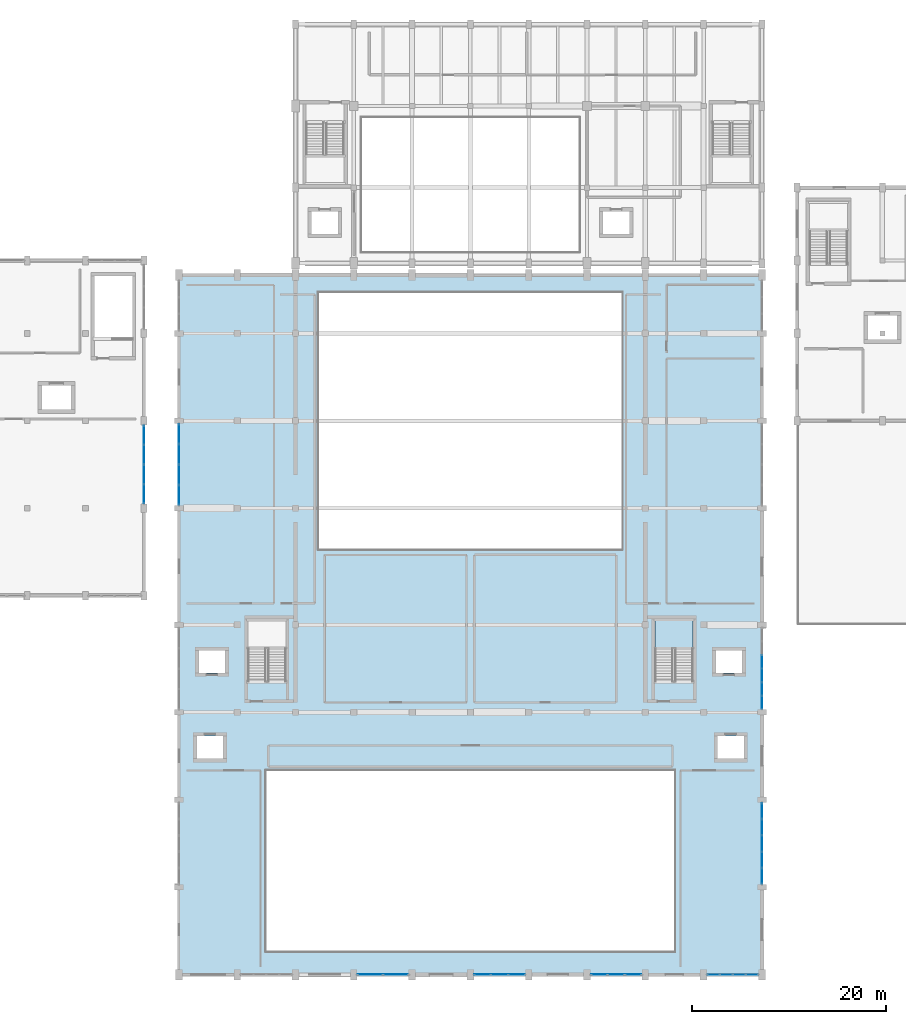
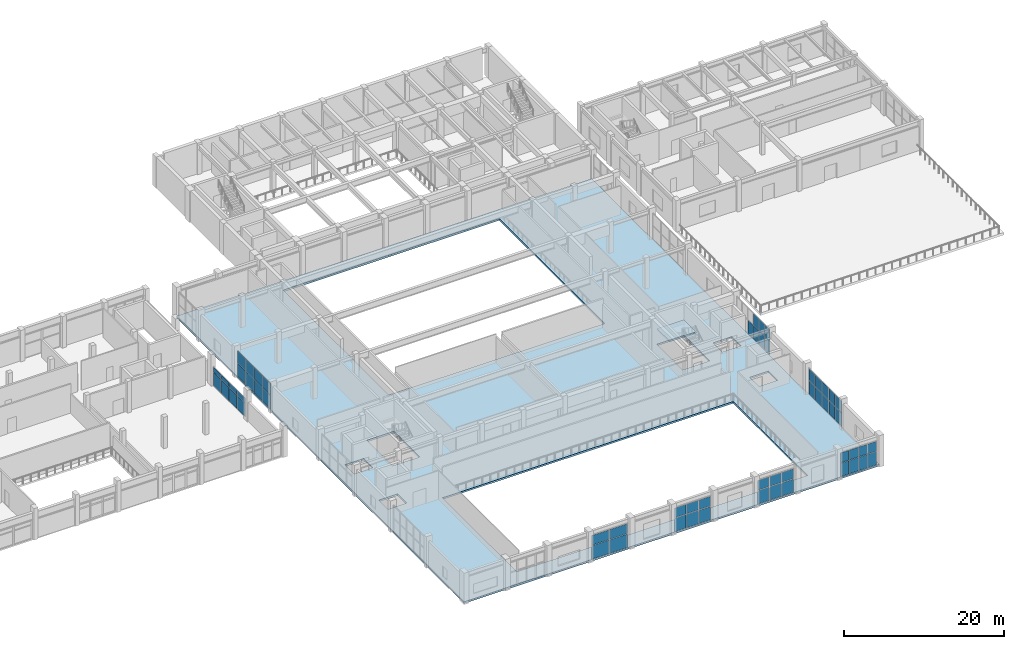
# One storey, part 35 of 62: 57 plates, 2 slabs, 9 elements without a shape of their own.
"""IFC4 building model written with IfcOpenShell, lengths in metres."""

from ifc_helpers import new_model, si_unit, direction, frame, origin, origin_2d, place, context, subcontext, project, spatial, polyline, rectangle, outline, extrude, material, layer, layer_set, type_object, element, aggregate, save


model = new_model("IFC4")

# Units and contexts
model_context = context("Model", 3, precision=1e-05, world=origin(), true_north=direction((0.0, 1.0)))
body_context = subcontext(model_context, "Body", "Model", "MODEL_VIEW")
ifc_project = project(units=[si_unit("LENGTHUNIT", "METRE"), si_unit("AREAUNIT", "SQUARE_METRE"), si_unit("VOLUMEUNIT", "CUBIC_METRE"), si_unit("PLANEANGLEUNIT", "RADIAN"), si_unit("MASSUNIT", "GRAM", prefix="KILO")], contexts=[model_context])

# Site, building, storey
site_placement = place(None, origin())
site = spatial("IfcSite", under=ifc_project, at=site_placement, CompositionType="ELEMENT")
building_placement = place(site_placement, origin())
building = spatial("IfcBuilding", under=site, at=building_placement, Name="Vaelkrest Opera House", CompositionType="ELEMENT")
storey_placement = place(building_placement, frame((0.0, 0.0, 19.800048828125)))
storey = spatial("IfcBuildingStorey", under=building, at=storey_placement, Name="L04", CompositionType="ELEMENT", Elevation=19.800048828125)

# Curtain wall, plates
ifc_material_1 = material(Name="Dark bronze anodized aluminium", Category="aluminium")
ifc_layer_1 = layer(ifc_material_1, 0.179931640625)
ifc_layer_set_1 = layer_set([ifc_layer_1], Name="Dark bronze anodized aluminium")
curtain_wall_type_1 = type_object("IfcCurtainWallType", Name="CW01", PredefinedType="NOTDEFINED", material=ifc_layer_set_1)
curtain_wall_1_placement = place(storey_placement, origin())
curtain_wall_1 = element("IfcCurtainWall", 1, at=curtain_wall_1_placement, inside=storey, type_object=curtain_wall_type_1, Name="Curtain wall CW-L04-066", PredefinedType="NOTDEFINED")
ifc_material_2 = material(Name="Double low-E insulated glazing", Category="glass")
ifc_layer_2 = layer(ifc_material_2, 0.02587890625)
ifc_layer_set_2 = layer_set([ifc_layer_2], Name="Double low-E insulated glazing")
plate_type_1 = type_object("IfcPlateType", Name="CWP01", PredefinedType="CURTAIN_PANEL", material=ifc_layer_set_2)
plate_1_placement = place(storey_placement, frame((30.0, -23.599609375, 0.06494140625), z_axis=(0.0, 0.0, 1.0), x_axis=(0.0, -1.0, 0.0)))
plate_1 = element("IfcPlate", 2, at=plate_1_placement, type_object=plate_type_1, Name="CW01 panel 3.1", PredefinedType="CURTAIN_PANEL", context=body_context, shape_type="SweptSolid", body=[
    extrude(rectangle(XDim=1.335693359375, YDim=0.02587890625, at=origin_2d()), origin(), (0.0, 0.0, 1.0), 2.052490234375),
])
plate_2_placement = place(storey_placement, frame((30.0, -25.000244140625, 0.06494140625), z_axis=(0.0, 0.0, 1.0), x_axis=(0.0, -1.0, 0.0)))
plate_2 = element("IfcPlate", 3, at=plate_2_placement, type_object=plate_type_1, Name="CW01 panel 4.1", PredefinedType="CURTAIN_PANEL", context=body_context, shape_type="SweptSolid", body=[
    extrude(rectangle(XDim=1.335693359375, YDim=0.02587890625, at=origin_2d()), origin(), (0.0, 0.0, 1.0), 2.052490234375),
])
plate_3_placement = place(storey_placement, frame((30.0, -25.000244140625, 2.1826171875), z_axis=(0.0, 0.0, 1.0), x_axis=(0.0, -1.0, 0.0)))
plate_3 = element("IfcPlate", 4, at=plate_3_placement, type_object=plate_type_1, Name="CW01 panel 4.2", PredefinedType="CURTAIN_PANEL", context=body_context, shape_type="SweptSolid", body=[
    extrude(rectangle(XDim=1.335693359375, YDim=0.02587890625, at=origin_2d()), origin(), (0.0, 0.0, 1.0), 1.79541015625),
])
plate_4_placement = place(storey_placement, frame((30.0, -26.40087890625, 0.06494140625), z_axis=(0.0, 0.0, 1.0), x_axis=(0.0, -1.0, 0.0)))
plate_4 = element("IfcPlate", 5, at=plate_4_placement, type_object=plate_type_1, Name="CW01 panel 5.1", PredefinedType="CURTAIN_PANEL", context=body_context, shape_type="SweptSolid", body=[
    extrude(rectangle(XDim=1.335693359375, YDim=0.02587890625, at=origin_2d()), origin(), (0.0, 0.0, 1.0), 2.052490234375),
])
plate_5_placement = place(storey_placement, frame((30.0, -26.40087890625, 2.1826171875), z_axis=(0.0, 0.0, 1.0), x_axis=(0.0, -1.0, 0.0)))
plate_5 = element("IfcPlate", 6, at=plate_5_placement, type_object=plate_type_1, Name="CW01 panel 5.2", PredefinedType="CURTAIN_PANEL", context=body_context, shape_type="SweptSolid", body=[
    extrude(rectangle(XDim=1.335693359375, YDim=0.02587890625, at=origin_2d()), origin(), (0.0, 0.0, 1.0), 1.79541015625),
])
plate_6_placement = place(storey_placement, frame((30.0, -27.785400390625, 0.06494140625), z_axis=(0.0, 0.0, 1.0), x_axis=(0.0, -1.0, 0.0)))
plate_6 = element("IfcPlate", 7, at=plate_6_placement, type_object=plate_type_1, Name="CW01 panel 6.1", PredefinedType="CURTAIN_PANEL", context=body_context, shape_type="SweptSolid", body=[
    extrude(rectangle(XDim=1.30322265625, YDim=0.02587890625, at=origin_2d()), origin(), (0.0, 0.0, 1.0), 2.052490234375),
])
plate_7_placement = place(storey_placement, frame((30.0, -27.785400390625, 2.1826171875), z_axis=(0.0, 0.0, 1.0), x_axis=(0.0, -1.0, 0.0)))
plate_7 = element("IfcPlate", 8, at=plate_7_placement, type_object=plate_type_1, Name="CW01 panel 6.2", PredefinedType="CURTAIN_PANEL", context=body_context, shape_type="SweptSolid", body=[
    extrude(rectangle(XDim=1.30322265625, YDim=0.02587890625, at=origin_2d()), origin(), (0.0, 0.0, 1.0), 1.79541015625),
])
aggregate(curtain_wall_1, [plate_1, plate_2, plate_3, plate_4, plate_5, plate_6, plate_7])

ifc_layer_3 = layer(ifc_material_1, 0.18994140625)
ifc_layer_set_3 = layer_set([ifc_layer_3], Name="Dark bronze anodized aluminium")
curtain_wall_type_2 = type_object("IfcCurtainWallType", Name="CW02", PredefinedType="NOTDEFINED", material=ifc_layer_set_3)
curtain_wall_2_placement = place(storey_placement, origin())
curtain_wall_2 = element("IfcCurtainWall", 9, at=curtain_wall_2_placement, inside=storey, type_object=curtain_wall_type_2, Name="Curtain wall CW-L04-055", PredefinedType="NOTDEFINED")
ifc_layer_4 = layer(ifc_material_2, 0.030029296875)
ifc_layer_set_4 = layer_set([ifc_layer_4], Name="Double low-E insulated glazing")
plate_type_2 = type_object("IfcPlateType", Name="CWP02", PredefinedType="CURTAIN_PANEL", material=ifc_layer_set_4)
plate_8_placement = place(storey_placement, frame((28.971435546875, -55.800048828125, 0.070068359375), z_axis=(0.0, 0.0, 1.0), x_axis=(-1.0, 0.0, 0.0)))
plate_8 = element("IfcPlate", 10, at=plate_8_placement, type_object=plate_type_2, Name="CW02 panel 1.1", PredefinedType="CURTAIN_PANEL", context=body_context, shape_type="SweptSolid", body=[
    extrude(rectangle(XDim=1.220947265625, YDim=0.030029296875, at=origin_2d()), origin(), (0.0, 0.0, 1.0), 2.044921875),
])
plate_9_placement = place(storey_placement, frame((28.971435546875, -55.800048828125, 2.18505859375), z_axis=(0.0, 0.0, 1.0), x_axis=(-1.0, 0.0, 0.0)))
plate_9 = element("IfcPlate", 11, at=plate_9_placement, type_object=plate_type_2, Name="CW02 panel 1.2", PredefinedType="CURTAIN_PANEL", context=body_context, shape_type="SweptSolid", body=[
    extrude(rectangle(XDim=1.220947265625, YDim=0.030029296875, at=origin_2d()), origin(), (0.0, 0.0, 1.0), 1.489990234375),
])
plate_10_placement = place(storey_placement, frame((27.6630859375, -55.800048828125, 0.070068359375), z_axis=(0.0, 0.0, 1.0), x_axis=(-1.0, 0.0, 0.0)))
plate_10 = element("IfcPlate", 12, at=plate_10_placement, type_object=plate_type_2, Name="CW02 panel 2.1", PredefinedType="CURTAIN_PANEL", context=body_context, shape_type="SweptSolid", body=[
    extrude(rectangle(XDim=1.256103515625, YDim=0.030029296875, at=origin_2d()), origin(), (0.0, 0.0, 1.0), 2.044921875),
])
plate_11_placement = place(storey_placement, frame((27.6630859375, -55.800048828125, 2.18505859375), z_axis=(0.0, 0.0, 1.0), x_axis=(-1.0, 0.0, 0.0)))
plate_11 = element("IfcPlate", 13, at=plate_11_placement, type_object=plate_type_2, Name="CW02 panel 2.2", PredefinedType="CURTAIN_PANEL", context=body_context, shape_type="SweptSolid", body=[
    extrude(rectangle(XDim=1.256103515625, YDim=0.030029296875, at=origin_2d()), origin(), (0.0, 0.0, 1.0), 1.489990234375),
])
plate_12_placement = place(storey_placement, frame((26.3369140625, -55.800048828125, 0.070068359375), z_axis=(0.0, 0.0, 1.0), x_axis=(-1.0, 0.0, 0.0)))
plate_12 = element("IfcPlate", 14, at=plate_12_placement, type_object=plate_type_2, Name="CW02 panel 3.1", PredefinedType="CURTAIN_PANEL", context=body_context, shape_type="SweptSolid", body=[
    extrude(rectangle(XDim=1.256103515625, YDim=0.030029296875, at=origin_2d()), origin(), (0.0, 0.0, 1.0), 2.044921875),
])
plate_13_placement = place(storey_placement, frame((26.3369140625, -55.800048828125, 2.18505859375), z_axis=(0.0, 0.0, 1.0), x_axis=(-1.0, 0.0, 0.0)))
plate_13 = element("IfcPlate", 15, at=plate_13_placement, type_object=plate_type_2, Name="CW02 panel 3.2", PredefinedType="CURTAIN_PANEL", context=body_context, shape_type="SweptSolid", body=[
    extrude(rectangle(XDim=1.256103515625, YDim=0.030029296875, at=origin_2d()), origin(), (0.0, 0.0, 1.0), 1.489990234375),
])
plate_14_placement = place(storey_placement, frame((25.028564453125, -55.800048828125, 0.070068359375), z_axis=(0.0, 0.0, 1.0), x_axis=(-1.0, 0.0, 0.0)))
plate_14 = element("IfcPlate", 16, at=plate_14_placement, type_object=plate_type_2, Name="CW02 panel 4.1", PredefinedType="CURTAIN_PANEL", context=body_context, shape_type="SweptSolid", body=[
    extrude(rectangle(XDim=1.220947265625, YDim=0.030029296875, at=origin_2d()), origin(), (0.0, 0.0, 1.0), 2.044921875),
])
plate_15_placement = place(storey_placement, frame((25.028564453125, -55.800048828125, 2.18505859375), z_axis=(0.0, 0.0, 1.0), x_axis=(-1.0, 0.0, 0.0)))
plate_15 = element("IfcPlate", 17, at=plate_15_placement, type_object=plate_type_2, Name="CW02 panel 4.2", PredefinedType="CURTAIN_PANEL", context=body_context, shape_type="SweptSolid", body=[
    extrude(rectangle(XDim=1.220947265625, YDim=0.030029296875, at=origin_2d()), origin(), (0.0, 0.0, 1.0), 1.489990234375),
])
aggregate(curtain_wall_2, [plate_8, plate_9, plate_10, plate_11, plate_12, plate_13, plate_14, plate_15])

ifc_layer_5 = layer(ifc_material_1, 0.199951171875)
ifc_layer_set_5 = layer_set([ifc_layer_5], Name="Dark bronze anodized aluminium")
curtain_wall_type_3 = type_object("IfcCurtainWallType", Name="CW03", PredefinedType="NOTDEFINED", material=ifc_layer_set_5)
curtain_wall_3_placement = place(storey_placement, origin())
curtain_wall_3 = element("IfcCurtainWall", 18, at=curtain_wall_3_placement, inside=storey, type_object=curtain_wall_type_3, Name="Curtain wall CW-L04-067", PredefinedType="NOTDEFINED")
ifc_layer_6 = layer(ifc_material_2, 0.033935546875)
ifc_layer_set_6 = layer_set([ifc_layer_6], Name="Double low-E insulated glazing")
plate_type_3 = type_object("IfcPlateType", Name="CWP03", PredefinedType="CURTAIN_PANEL", material=ifc_layer_set_6)
plate_16_placement = place(storey_placement, frame((30.0, -38.95703125, 0.074951171875), z_axis=(0.0, 0.0, 1.0), x_axis=(0.0, -1.0, 0.0)))
plate_16 = element("IfcPlate", 19, at=plate_16_placement, type_object=plate_type_3, Name="CW03 panel 1.1", PredefinedType="CURTAIN_PANEL", context=body_context, shape_type="SweptSolid", body=[
    extrude(rectangle(XDim=1.568359375, YDim=0.033935546875, at=origin_2d()), origin(), (0.0, 0.0, 1.0), 2.03759765625),
])
plate_17_placement = place(storey_placement, frame((30.0, -38.95703125, 2.1875), z_axis=(0.0, 0.0, 1.0), x_axis=(0.0, -1.0, 0.0)))
plate_17 = element("IfcPlate", 20, at=plate_17_placement, type_object=plate_type_3, Name="CW03 panel 1.2", PredefinedType="CURTAIN_PANEL", context=body_context, shape_type="SweptSolid", body=[
    extrude(rectangle(XDim=1.568359375, YDim=0.033935546875, at=origin_2d()), origin(), (0.0, 0.0, 1.0), 1.780517578125),
])
plate_18_placement = place(storey_placement, frame((30.0, -40.619140625, 0.074951171875), z_axis=(0.0, 0.0, 1.0), x_axis=(0.0, -1.0, 0.0)))
plate_18 = element("IfcPlate", 21, at=plate_18_placement, type_object=plate_type_3, Name="CW03 panel 2.1", PredefinedType="CURTAIN_PANEL", context=body_context, shape_type="SweptSolid", body=[
    extrude(rectangle(XDim=1.605712890625, YDim=0.033935546875, at=origin_2d()), origin(), (0.0, 0.0, 1.0), 2.03759765625),
])
plate_19_placement = place(storey_placement, frame((30.0, -40.619140625, 2.1875), z_axis=(0.0, 0.0, 1.0), x_axis=(0.0, -1.0, 0.0)))
plate_19 = element("IfcPlate", 22, at=plate_19_placement, type_object=plate_type_3, Name="CW03 panel 2.2", PredefinedType="CURTAIN_PANEL", context=body_context, shape_type="SweptSolid", body=[
    extrude(rectangle(XDim=1.605712890625, YDim=0.033935546875, at=origin_2d()), origin(), (0.0, 0.0, 1.0), 1.780517578125),
])
plate_20_placement = place(storey_placement, frame((30.0, -42.300048828125, 0.074951171875), z_axis=(0.0, 0.0, 1.0), x_axis=(0.0, -1.0, 0.0)))
plate_20 = element("IfcPlate", 23, at=plate_20_placement, type_object=plate_type_3, Name="CW03 panel 3.1", PredefinedType="CURTAIN_PANEL", context=body_context, shape_type="SweptSolid", body=[
    extrude(rectangle(XDim=1.605712890625, YDim=0.033935546875, at=origin_2d()), origin(), (0.0, 0.0, 1.0), 2.03759765625),
])
plate_21_placement = place(storey_placement, frame((30.0, -42.300048828125, 2.1875), z_axis=(0.0, 0.0, 1.0), x_axis=(0.0, -1.0, 0.0)))
plate_21 = element("IfcPlate", 24, at=plate_21_placement, type_object=plate_type_3, Name="CW03 panel 3.2", PredefinedType="CURTAIN_PANEL", context=body_context, shape_type="SweptSolid", body=[
    extrude(rectangle(XDim=1.605712890625, YDim=0.033935546875, at=origin_2d()), origin(), (0.0, 0.0, 1.0), 1.780517578125),
])
plate_22_placement = place(storey_placement, frame((30.0, -43.980712890625, 0.074951171875), z_axis=(0.0, 0.0, 1.0), x_axis=(0.0, -1.0, 0.0)))
plate_22 = element("IfcPlate", 25, at=plate_22_placement, type_object=plate_type_3, Name="CW03 panel 4.1", PredefinedType="CURTAIN_PANEL", context=body_context, shape_type="SweptSolid", body=[
    extrude(rectangle(XDim=1.605712890625, YDim=0.033935546875, at=origin_2d()), origin(), (0.0, 0.0, 1.0), 2.03759765625),
])
plate_23_placement = place(storey_placement, frame((30.0, -43.980712890625, 2.1875), z_axis=(0.0, 0.0, 1.0), x_axis=(0.0, -1.0, 0.0)))
plate_23 = element("IfcPlate", 26, at=plate_23_placement, type_object=plate_type_3, Name="CW03 panel 4.2", PredefinedType="CURTAIN_PANEL", context=body_context, shape_type="SweptSolid", body=[
    extrude(rectangle(XDim=1.605712890625, YDim=0.033935546875, at=origin_2d()), origin(), (0.0, 0.0, 1.0), 1.780517578125),
])
plate_24_placement = place(storey_placement, frame((30.0, -45.642822265625, 0.074951171875), z_axis=(0.0, 0.0, 1.0), x_axis=(0.0, -1.0, 0.0)))
plate_24 = element("IfcPlate", 27, at=plate_24_placement, type_object=plate_type_3, Name="CW03 panel 5.1", PredefinedType="CURTAIN_PANEL", context=body_context, shape_type="SweptSolid", body=[
    extrude(rectangle(XDim=1.568359375, YDim=0.033935546875, at=origin_2d()), origin(), (0.0, 0.0, 1.0), 2.03759765625),
])
plate_25_placement = place(storey_placement, frame((30.0, -45.642822265625, 2.1875), z_axis=(0.0, 0.0, 1.0), x_axis=(0.0, -1.0, 0.0)))
plate_25 = element("IfcPlate", 28, at=plate_25_placement, type_object=plate_type_3, Name="CW03 panel 5.2", PredefinedType="CURTAIN_PANEL", context=body_context, shape_type="SweptSolid", body=[
    extrude(rectangle(XDim=1.568359375, YDim=0.033935546875, at=origin_2d()), origin(), (0.0, 0.0, 1.0), 1.780517578125),
])
aggregate(curtain_wall_3, [plate_16, plate_17, plate_18, plate_19, plate_20, plate_21, plate_22, plate_23, plate_24, plate_25])

ifc_layer_7 = layer(ifc_material_1, 0.2099609375)
ifc_layer_set_7 = layer_set([ifc_layer_7], Name="Dark bronze anodized aluminium")
curtain_wall_type_4 = type_object("IfcCurtainWallType", Name="CW04", PredefinedType="NOTDEFINED", material=ifc_layer_set_7)
curtain_wall_4_placement = place(storey_placement, origin())
curtain_wall_4 = element("IfcCurtainWall", 29, at=curtain_wall_4_placement, inside=storey, type_object=curtain_wall_type_4, Name="Curtain wall CW-L04-056", PredefinedType="NOTDEFINED")
ifc_layer_8 = layer(ifc_material_2, 0.0380859375)
ifc_layer_set_8 = layer_set([ifc_layer_8], Name="Double low-E insulated glazing")
plate_type_4 = type_object("IfcPlateType", Name="CWP04", PredefinedType="CURTAIN_PANEL", material=ifc_layer_set_8)
plate_26_placement = place(storey_placement, frame((16.748046875, -55.800048828125, 0.080078125), z_axis=(0.0, 0.0, 1.0), x_axis=(-1.0, 0.0, 0.0)))
plate_26 = element("IfcPlate", 30, at=plate_26_placement, type_object=plate_type_4, Name="CW04 panel 1.1", PredefinedType="CURTAIN_PANEL", context=body_context, shape_type="SweptSolid", body=[
    extrude(rectangle(XDim=1.64794921875, YDim=0.0380859375, at=origin_2d()), origin(), (0.0, 0.0, 1.0), 2.030029296875),
])
plate_27_placement = place(storey_placement, frame((16.748046875, -55.800048828125, 2.18994140625), z_axis=(0.0, 0.0, 1.0), x_axis=(-1.0, 0.0, 0.0)))
plate_27 = element("IfcPlate", 31, at=plate_27_placement, type_object=plate_type_4, Name="CW04 panel 1.2", PredefinedType="CURTAIN_PANEL", context=body_context, shape_type="SweptSolid", body=[
    extrude(rectangle(XDim=1.64794921875, YDim=0.0380859375, at=origin_2d()), origin(), (0.0, 0.0, 1.0), 1.47509765625),
])
plate_28_placement = place(storey_placement, frame((15.0, -55.800048828125, 0.080078125), z_axis=(0.0, 0.0, 1.0), x_axis=(-1.0, 0.0, 0.0)))
plate_28 = element("IfcPlate", 32, at=plate_28_placement, type_object=plate_type_4, Name="CW04 panel 2.1", PredefinedType="CURTAIN_PANEL", context=body_context, shape_type="SweptSolid", body=[
    extrude(rectangle(XDim=1.68798828125, YDim=0.0380859375, at=origin_2d()), origin(), (0.0, 0.0, 1.0), 2.030029296875),
])
plate_29_placement = place(storey_placement, frame((15.0, -55.800048828125, 2.18994140625), z_axis=(0.0, 0.0, 1.0), x_axis=(-1.0, 0.0, 0.0)))
plate_29 = element("IfcPlate", 33, at=plate_29_placement, type_object=plate_type_4, Name="CW04 panel 2.2", PredefinedType="CURTAIN_PANEL", context=body_context, shape_type="SweptSolid", body=[
    extrude(rectangle(XDim=1.68798828125, YDim=0.0380859375, at=origin_2d()), origin(), (0.0, 0.0, 1.0), 1.47509765625),
])
plate_30_placement = place(storey_placement, frame((13.251953125, -55.800048828125, 0.080078125), z_axis=(0.0, 0.0, 1.0), x_axis=(-1.0, 0.0, 0.0)))
plate_30 = element("IfcPlate", 34, at=plate_30_placement, type_object=plate_type_4, Name="CW04 panel 3.1", PredefinedType="CURTAIN_PANEL", context=body_context, shape_type="SweptSolid", body=[
    extrude(rectangle(XDim=1.64794921875, YDim=0.0380859375, at=origin_2d()), origin(), (0.0, 0.0, 1.0), 2.030029296875),
])
plate_31_placement = place(storey_placement, frame((13.251953125, -55.800048828125, 2.18994140625), z_axis=(0.0, 0.0, 1.0), x_axis=(-1.0, 0.0, 0.0)))
plate_31 = element("IfcPlate", 35, at=plate_31_placement, type_object=plate_type_4, Name="CW04 panel 3.2", PredefinedType="CURTAIN_PANEL", context=body_context, shape_type="SweptSolid", body=[
    extrude(rectangle(XDim=1.64794921875, YDim=0.0380859375, at=origin_2d()), origin(), (0.0, 0.0, 1.0), 1.47509765625),
])
aggregate(curtain_wall_4, [plate_26, plate_27, plate_28, plate_29, plate_30, plate_31])

ifc_layer_9 = layer(ifc_material_1, 0.22998046875)
ifc_layer_set_9 = layer_set([ifc_layer_9], Name="Dark bronze anodized aluminium")
curtain_wall_type_5 = type_object("IfcCurtainWallType", Name="CW06", PredefinedType="NOTDEFINED", material=ifc_layer_set_9)
curtain_wall_5_placement = place(storey_placement, origin())
curtain_wall_5 = element("IfcCurtainWall", 36, at=curtain_wall_5_placement, inside=storey, type_object=curtain_wall_type_5, Name="Curtain wall CW-L04-057", PredefinedType="NOTDEFINED")
ifc_material_3 = material(Name="Dark bronze anodized aluminium spandrel", Category="aluminium")
ifc_layer_10 = layer(ifc_material_3, 0.0458984375)
ifc_layer_set_10 = layer_set([ifc_layer_10], Name="Dark bronze anodized aluminium spandrel")
plate_type_5 = type_object("IfcPlateType", Name="CWP06", PredefinedType="CURTAIN_PANEL", material=ifc_layer_set_10)
plate_32_placement = place(storey_placement, frame((4.75048828125, -55.800048828125, 0.080078125), z_axis=(0.0, 0.0, 1.0), x_axis=(-1.0, 0.0, 0.0)))
plate_32 = element("IfcPlate", 37, at=plate_32_placement, type_object=plate_type_5, Name="CW06 panel 1.1", PredefinedType="CURTAIN_PANEL", context=body_context, shape_type="SweptSolid", body=[
    extrude(rectangle(XDim=1.6630859375, YDim=0.0458984375, at=origin_2d()), origin(), (0.0, 0.0, 1.0), 2.030029296875),
])
plate_33_placement = place(storey_placement, frame((4.75048828125, -55.800048828125, 2.18994140625), z_axis=(0.0, 0.0, 1.0), x_axis=(-1.0, 0.0, 0.0)))
plate_33 = element("IfcPlate", 38, at=plate_33_placement, type_object=plate_type_5, Name="CW06 panel 1.2", PredefinedType="CURTAIN_PANEL", context=body_context, shape_type="SweptSolid", body=[
    extrude(rectangle(XDim=1.6630859375, YDim=0.0458984375, at=origin_2d()), origin(), (0.0, 0.0, 1.0), 1.47509765625),
])
plate_34_placement = place(storey_placement, frame((3.0, -55.800048828125, 0.080078125), z_axis=(0.0, 0.0, 1.0), x_axis=(-1.0, 0.0, 0.0)))
plate_34 = element("IfcPlate", 39, at=plate_34_placement, type_object=plate_type_5, Name="CW06 panel 2.1", PredefinedType="CURTAIN_PANEL", context=body_context, shape_type="SweptSolid", body=[
    extrude(rectangle(XDim=1.697998046875, YDim=0.0458984375, at=origin_2d()), origin(), (0.0, 0.0, 1.0), 2.030029296875),
])
plate_35_placement = place(storey_placement, frame((3.0, -55.800048828125, 2.18994140625), z_axis=(0.0, 0.0, 1.0), x_axis=(-1.0, 0.0, 0.0)))
plate_35 = element("IfcPlate", 40, at=plate_35_placement, type_object=plate_type_5, Name="CW06 panel 2.2", PredefinedType="CURTAIN_PANEL", context=body_context, shape_type="SweptSolid", body=[
    extrude(rectangle(XDim=1.697998046875, YDim=0.0458984375, at=origin_2d()), origin(), (0.0, 0.0, 1.0), 1.47509765625),
])
plate_36_placement = place(storey_placement, frame((1.24951171875, -55.800048828125, 0.080078125), z_axis=(0.0, 0.0, 1.0), x_axis=(-1.0, 0.0, 0.0)))
plate_36 = element("IfcPlate", 41, at=plate_36_placement, type_object=plate_type_5, Name="CW06 panel 3.1", PredefinedType="CURTAIN_PANEL", context=body_context, shape_type="SweptSolid", body=[
    extrude(rectangle(XDim=1.6630859375, YDim=0.0458984375, at=origin_2d()), origin(), (0.0, 0.0, 1.0), 2.030029296875),
])
plate_37_placement = place(storey_placement, frame((1.24951171875, -55.800048828125, 2.18994140625), z_axis=(0.0, 0.0, 1.0), x_axis=(-1.0, 0.0, 0.0)))
plate_37 = element("IfcPlate", 42, at=plate_37_placement, type_object=plate_type_5, Name="CW06 panel 3.2", PredefinedType="CURTAIN_PANEL", context=body_context, shape_type="SweptSolid", body=[
    extrude(rectangle(XDim=1.6630859375, YDim=0.0458984375, at=origin_2d()), origin(), (0.0, 0.0, 1.0), 1.47509765625),
])
aggregate(curtain_wall_5, [plate_32, plate_33, plate_34, plate_35, plate_36, plate_37])

ifc_layer_11 = layer(ifc_material_1, 0.239990234375)
ifc_layer_set_11 = layer_set([ifc_layer_11], Name="Dark bronze anodized aluminium")
curtain_wall_type_6 = type_object("IfcCurtainWallType", Name="CW07", PredefinedType="NOTDEFINED", material=ifc_layer_set_11)
curtain_wall_6_placement = place(storey_placement, origin())
curtain_wall_6 = element("IfcCurtainWall", 43, at=curtain_wall_6_placement, inside=storey, type_object=curtain_wall_type_6, Name="Curtain wall CW-L04-148", PredefinedType="NOTDEFINED")
ifc_layer_12 = layer(ifc_material_3, 0.052001953125)
ifc_layer_set_12 = layer_set([ifc_layer_12], Name="Dark bronze anodized aluminium spandrel")
plate_type_6 = type_object("IfcPlateType", Name="CWP07", PredefinedType="CURTAIN_PANEL", material=ifc_layer_set_12)
plate_38_placement = place(storey_placement, frame((-33.60009765625, -0.27978515625, 0.06494140625), z_axis=(0.0, 0.0, 1.0), x_axis=(0.0, -1.0, 0.0)))
plate_38 = element("IfcPlate", 44, at=plate_38_placement, type_object=plate_type_6, Name="CW07 panel 1.1", PredefinedType="CURTAIN_PANEL", context=body_context, shape_type="SweptSolid", body=[
    extrude(rectangle(XDim=1.91357421875, YDim=0.052001953125, at=origin_2d()), origin(), (0.0, 0.0, 1.0), 2.052490234375),
])
plate_39_placement = place(storey_placement, frame((-33.60009765625, -0.27978515625, 2.182373046875), z_axis=(0.0, 0.0, 1.0), x_axis=(0.0, -1.0, 0.0)))
plate_39 = element("IfcPlate", 45, at=plate_39_placement, type_object=plate_type_6, Name="CW07 panel 1.2", PredefinedType="CURTAIN_PANEL", context=body_context, shape_type="SweptSolid", body=[
    extrude(rectangle(XDim=1.91357421875, YDim=0.052001953125, at=origin_2d()), origin(), (0.0, 0.0, 1.0), 0.71044921875),
])
plate_40_placement = place(storey_placement, frame((-33.60009765625, -2.287109375, 0.06494140625), z_axis=(0.0, 0.0, 1.0), x_axis=(0.0, -1.0, 0.0)))
plate_40 = element("IfcPlate", 46, at=plate_40_placement, type_object=plate_type_6, Name="CW07 panel 2.1", PredefinedType="CURTAIN_PANEL", context=body_context, shape_type="SweptSolid", body=[
    extrude(rectangle(XDim=1.950927734375, YDim=0.052001953125, at=origin_2d()), origin(), (0.0, 0.0, 1.0), 2.052490234375),
])
plate_41_placement = place(storey_placement, frame((-33.60009765625, -2.287109375, 2.182373046875), z_axis=(0.0, 0.0, 1.0), x_axis=(0.0, -1.0, 0.0)))
plate_41 = element("IfcPlate", 47, at=plate_41_placement, type_object=plate_type_6, Name="CW07 panel 2.2", PredefinedType="CURTAIN_PANEL", context=body_context, shape_type="SweptSolid", body=[
    extrude(rectangle(XDim=1.950927734375, YDim=0.052001953125, at=origin_2d()), origin(), (0.0, 0.0, 1.0), 0.71044921875),
])
plate_42_placement = place(storey_placement, frame((-33.60009765625, -4.31298828125, 0.06494140625), z_axis=(0.0, 0.0, 1.0), x_axis=(0.0, -1.0, 0.0)))
plate_42 = element("IfcPlate", 48, at=plate_42_placement, type_object=plate_type_6, Name="CW07 panel 3.1", PredefinedType="CURTAIN_PANEL", context=body_context, shape_type="SweptSolid", body=[
    extrude(rectangle(XDim=1.950927734375, YDim=0.052001953125, at=origin_2d()), origin(), (0.0, 0.0, 1.0), 2.052490234375),
])
plate_43_placement = place(storey_placement, frame((-33.60009765625, -4.31298828125, 2.182373046875), z_axis=(0.0, 0.0, 1.0), x_axis=(0.0, -1.0, 0.0)))
plate_43 = element("IfcPlate", 49, at=plate_43_placement, type_object=plate_type_6, Name="CW07 panel 3.2", PredefinedType="CURTAIN_PANEL", context=body_context, shape_type="SweptSolid", body=[
    extrude(rectangle(XDim=1.950927734375, YDim=0.052001953125, at=origin_2d()), origin(), (0.0, 0.0, 1.0), 0.71044921875),
])
plate_44_placement = place(storey_placement, frame((-33.60009765625, -6.3203125, 0.06494140625), z_axis=(0.0, 0.0, 1.0), x_axis=(0.0, -1.0, 0.0)))
plate_44 = element("IfcPlate", 50, at=plate_44_placement, type_object=plate_type_6, Name="CW07 panel 4.1", PredefinedType="CURTAIN_PANEL", context=body_context, shape_type="SweptSolid", body=[
    extrude(rectangle(XDim=1.91357421875, YDim=0.052001953125, at=origin_2d()), origin(), (0.0, 0.0, 1.0), 2.052490234375),
])
plate_45_placement = place(storey_placement, frame((-33.60009765625, -6.3203125, 2.182373046875), z_axis=(0.0, 0.0, 1.0), x_axis=(0.0, -1.0, 0.0)))
plate_45 = element("IfcPlate", 51, at=plate_45_placement, type_object=plate_type_6, Name="CW07 panel 4.2", PredefinedType="CURTAIN_PANEL", context=body_context, shape_type="SweptSolid", body=[
    extrude(rectangle(XDim=1.91357421875, YDim=0.052001953125, at=origin_2d()), origin(), (0.0, 0.0, 1.0), 0.71044921875),
])
aggregate(curtain_wall_6, [plate_38, plate_39, plate_40, plate_41, plate_42, plate_43, plate_44, plate_45])

ifc_layer_13 = layer(ifc_material_1, 0.25)
ifc_layer_set_13 = layer_set([ifc_layer_13], Name="Dark bronze anodized aluminium")
curtain_wall_type_7 = type_object("IfcCurtainWallType", Name="CW08", PredefinedType="NOTDEFINED", material=ifc_layer_set_13)
curtain_wall_7_placement = place(storey_placement, origin())
curtain_wall_7 = element("IfcCurtainWall", 52, at=curtain_wall_7_placement, inside=storey, type_object=curtain_wall_type_7, Name="Curtain wall CW-L04-058", PredefinedType="NOTDEFINED")
ifc_layer_14 = layer(ifc_material_3, 0.05810546875)
ifc_layer_set_14 = layer_set([ifc_layer_14], Name="Dark bronze anodized aluminium spandrel")
plate_type_7 = type_object("IfcPlateType", Name="CWP08", PredefinedType="CURTAIN_PANEL", material=ifc_layer_set_14)
plate_46_placement = place(storey_placement, frame((-7.694091796875, -55.800048828125, 0.070068359375), z_axis=(0.0, 0.0, 1.0), x_axis=(-1.0, 0.0, 0.0)))
plate_46 = element("IfcPlate", 53, at=plate_46_placement, type_object=plate_type_7, Name="CW08 panel 1.1", PredefinedType="CURTAIN_PANEL", context=body_context, shape_type="SweptSolid", body=[
    extrude(rectangle(XDim=2.531982421875, YDim=0.05810546875, at=origin_2d()), origin(), (0.0, 0.0, 1.0), 2.044921875),
])
plate_47_placement = place(storey_placement, frame((-7.694091796875, -55.800048828125, 2.18505859375), z_axis=(0.0, 0.0, 1.0), x_axis=(-1.0, 0.0, 0.0)))
plate_47 = element("IfcPlate", 54, at=plate_47_placement, type_object=plate_type_7, Name="CW08 panel 1.2", PredefinedType="CURTAIN_PANEL", context=body_context, shape_type="SweptSolid", body=[
    extrude(rectangle(XDim=2.531982421875, YDim=0.05810546875, at=origin_2d()), origin(), (0.0, 0.0, 1.0), 1.489990234375),
])
plate_48_placement = place(storey_placement, frame((-10.305908203125, -55.800048828125, 0.070068359375), z_axis=(0.0, 0.0, 1.0), x_axis=(-1.0, 0.0, 0.0)))
plate_48 = element("IfcPlate", 55, at=plate_48_placement, type_object=plate_type_7, Name="CW08 panel 2.1", PredefinedType="CURTAIN_PANEL", context=body_context, shape_type="SweptSolid", body=[
    extrude(rectangle(XDim=2.531982421875, YDim=0.05810546875, at=origin_2d()), origin(), (0.0, 0.0, 1.0), 2.044921875),
])
plate_49_placement = place(storey_placement, frame((-10.305908203125, -55.800048828125, 2.18505859375), z_axis=(0.0, 0.0, 1.0), x_axis=(-1.0, 0.0, 0.0)))
plate_49 = element("IfcPlate", 56, at=plate_49_placement, type_object=plate_type_7, Name="CW08 panel 2.2", PredefinedType="CURTAIN_PANEL", context=body_context, shape_type="SweptSolid", body=[
    extrude(rectangle(XDim=2.531982421875, YDim=0.05810546875, at=origin_2d()), origin(), (0.0, 0.0, 1.0), 1.489990234375),
])
aggregate(curtain_wall_7, [plate_46, plate_47, plate_48, plate_49])

curtain_wall_8_placement = place(storey_placement, origin())
curtain_wall_8 = element("IfcCurtainWall", 57, at=curtain_wall_8_placement, inside=storey, type_object=curtain_wall_type_7, Name="Curtain wall CW-L04-062", PredefinedType="NOTDEFINED")
plate_50_placement = place(storey_placement, frame((-30.0, -6.431396484375, 0.070068359375), z_axis=(0.0, 0.0, 1.0), x_axis=(0.0, 1.0, 0.0)))
plate_50 = element("IfcPlate", 58, at=plate_50_placement, type_object=plate_type_7, Name="CW08 panel 1.1", PredefinedType="CURTAIN_PANEL", context=body_context, shape_type="SweptSolid", body=[
    extrude(rectangle(XDim=1.98095703125, YDim=0.05810546875, at=origin_2d()), origin(), (0.0, 0.0, 1.0), 2.044921875),
])
plate_51_placement = place(storey_placement, frame((-30.0, -6.431396484375, 2.184814453125), z_axis=(0.0, 0.0, 1.0), x_axis=(0.0, 1.0, 0.0)))
plate_51 = element("IfcPlate", 59, at=plate_51_placement, type_object=plate_type_7, Name="CW08 panel 1.2", PredefinedType="CURTAIN_PANEL", context=body_context, shape_type="SweptSolid", body=[
    extrude(rectangle(XDim=1.98095703125, YDim=0.05810546875, at=origin_2d()), origin(), (0.0, 0.0, 1.0), 1.7880859375),
])
plate_52_placement = place(storey_placement, frame((-30.0, -4.3505859375, 0.070068359375), z_axis=(0.0, 0.0, 1.0), x_axis=(0.0, 1.0, 0.0)))
plate_52 = element("IfcPlate", 60, at=plate_52_placement, type_object=plate_type_7, Name="CW08 panel 2.1", PredefinedType="CURTAIN_PANEL", context=body_context, shape_type="SweptSolid", body=[
    extrude(rectangle(XDim=2.02099609375, YDim=0.05810546875, at=origin_2d()), origin(), (0.0, 0.0, 1.0), 2.044921875),
])
plate_53_placement = place(storey_placement, frame((-30.0, -4.3505859375, 2.184814453125), z_axis=(0.0, 0.0, 1.0), x_axis=(0.0, 1.0, 0.0)))
plate_53 = element("IfcPlate", 61, at=plate_53_placement, type_object=plate_type_7, Name="CW08 panel 2.2", PredefinedType="CURTAIN_PANEL", context=body_context, shape_type="SweptSolid", body=[
    extrude(rectangle(XDim=2.02099609375, YDim=0.05810546875, at=origin_2d()), origin(), (0.0, 0.0, 1.0), 1.7880859375),
])
plate_54_placement = place(storey_placement, frame((-30.0, -2.24951171875, 0.070068359375), z_axis=(0.0, 0.0, 1.0), x_axis=(0.0, 1.0, 0.0)))
plate_54 = element("IfcPlate", 62, at=plate_54_placement, type_object=plate_type_7, Name="CW08 panel 3.1", PredefinedType="CURTAIN_PANEL", context=body_context, shape_type="SweptSolid", body=[
    extrude(rectangle(XDim=2.02099609375, YDim=0.05810546875, at=origin_2d()), origin(), (0.0, 0.0, 1.0), 2.044921875),
])
plate_55_placement = place(storey_placement, frame((-30.0, -2.24951171875, 2.184814453125), z_axis=(0.0, 0.0, 1.0), x_axis=(0.0, 1.0, 0.0)))
plate_55 = element("IfcPlate", 63, at=plate_55_placement, type_object=plate_type_7, Name="CW08 panel 3.2", PredefinedType="CURTAIN_PANEL", context=body_context, shape_type="SweptSolid", body=[
    extrude(rectangle(XDim=2.02099609375, YDim=0.05810546875, at=origin_2d()), origin(), (0.0, 0.0, 1.0), 1.7880859375),
])
plate_56_placement = place(storey_placement, frame((-30.0, -0.16845703125, 0.070068359375), z_axis=(0.0, 0.0, 1.0), x_axis=(0.0, 1.0, 0.0)))
plate_56 = element("IfcPlate", 64, at=plate_56_placement, type_object=plate_type_7, Name="CW08 panel 4.1", PredefinedType="CURTAIN_PANEL", context=body_context, shape_type="SweptSolid", body=[
    extrude(rectangle(XDim=1.98095703125, YDim=0.05810546875, at=origin_2d()), origin(), (0.0, 0.0, 1.0), 2.044921875),
])
plate_57_placement = place(storey_placement, frame((-30.0, -0.16845703125, 2.184814453125), z_axis=(0.0, 0.0, 1.0), x_axis=(0.0, 1.0, 0.0)))
plate_57 = element("IfcPlate", 65, at=plate_57_placement, type_object=plate_type_7, Name="CW08 panel 4.2", PredefinedType="CURTAIN_PANEL", context=body_context, shape_type="SweptSolid", body=[
    extrude(rectangle(XDim=1.98095703125, YDim=0.05810546875, at=origin_2d()), origin(), (0.0, 0.0, 1.0), 1.7880859375),
])
aggregate(curtain_wall_8, [plate_50, plate_51, plate_52, plate_53, plate_54, plate_55, plate_56, plate_57])

# Slab
ifc_material_4 = material(Name="Concrete C40/50", Category="concrete")
ifc_layer_15 = layer(ifc_material_4, 0.264892578125)
ifc_layer_set_15 = layer_set([ifc_layer_15], Name="Concrete C40/50")
slab_type_1 = type_object("IfcSlabType", Name="FS02", PredefinedType="FLOOR", material=ifc_layer_set_15)
slab_1_placement = place(storey_placement, frame((0.0, 0.0, -0.26513671875)))
element("IfcSlab", 66, at=slab_1_placement, inside=storey, type_object=slab_type_1, Name="Floor slab SLB-V1-L04-007", PredefinedType="FLOOR", context=body_context, shape_type="SweptSolid", body=[
    extrude(outline(polyline([(-30.0, -55.800048828125), (30.0, -55.800048828125), (30.0, 16.199951171875), (-30.0, 16.199951171875), (-30.0, -55.800048828125)]), holes=[polyline([(-15.60009765625, -12.0), (15.60009765625, -12.0), (15.60009765625, 14.39990234375), (-15.60009765625, 14.39990234375), (-15.60009765625, -12.0)]), polyline([(-21.0, -53.39990234375), (21.0, -53.39990234375), (21.0, -34.800048828125), (-21.0, -34.800048828125), (-21.0, -53.39990234375)]), polyline([(-19.0, -25.64990234375), (-19.0, -19.199951171875), (-22.89990234375, -19.199951171875), (-22.89990234375, -25.64990234375), (-19.0, -25.64990234375)]), polyline([(22.89990234375, -25.64990234375), (22.89990234375, -19.199951171875), (19.0, -19.199951171875), (19.0, -25.64990234375), (22.89990234375, -25.64990234375)]), polyline([(-27.949951171875, -24.75), (-25.25, -24.75), (-25.25, -22.449951171875), (-27.949951171875, -22.449951171875), (-27.949951171875, -24.75)]), polyline([(25.25, -24.75), (27.949951171875, -24.75), (27.949951171875, -22.449951171875), (25.25, -22.449951171875), (25.25, -24.75)]), polyline([(-28.14990234375, -33.550048828125), (-25.449951171875, -33.550048828125), (-25.449951171875, -31.25), (-28.14990234375, -31.25), (-28.14990234375, -33.550048828125)]), polyline([(25.449951171875, -33.550048828125), (28.14990234375, -33.550048828125), (28.14990234375, -31.25), (25.449951171875, -31.25), (25.449951171875, -33.550048828125)])]), origin(), (0.0, 0.0, 1.0), 0.26513671875),
])

# Stair, slab
stair_type = type_object("IfcStairType", Name="ST02", PredefinedType="TWO_STRAIGHT_RUN_STAIR", material=ifc_material_4)
stair_placement = place(storey_placement, origin())
stair = element("IfcStair", 67, at=stair_placement, inside=storey, type_object=stair_type, Name="L04 Protected exit stair ST02", PredefinedType="TWO_STRAIGHT_RUN_STAIR")
ifc_layer_16 = layer(ifc_material_4, 0.199951171875)
ifc_layer_set_16 = layer_set([ifc_layer_16], Name="Concrete C40/50")
slab_type_2 = type_object("IfcSlabType", Name="SLD01", PredefinedType="LANDING", material=ifc_layer_set_16)
slab_2_placement = place(storey_placement, frame((0.0, 0.0, 2.199951171875)))
slab_2 = element("IfcSlab", 68, at=slab_2_placement, type_object=slab_type_2, Name="ST02 landing 1", PredefinedType="LANDING", context=body_context, shape_type="SweptSolid", body=[
    extrude(outline(polyline([(22.89990234375, -22.2900390625), (22.89990234375, -19.199951171875), (19.0, -19.199951171875), (19.0, -22.2900390625), (22.89990234375, -22.2900390625)])), origin(), (0.0, 0.0, 1.0), 0.199951171875),
])
aggregate(stair, [slab_2])

save(model, "model.ifc")
